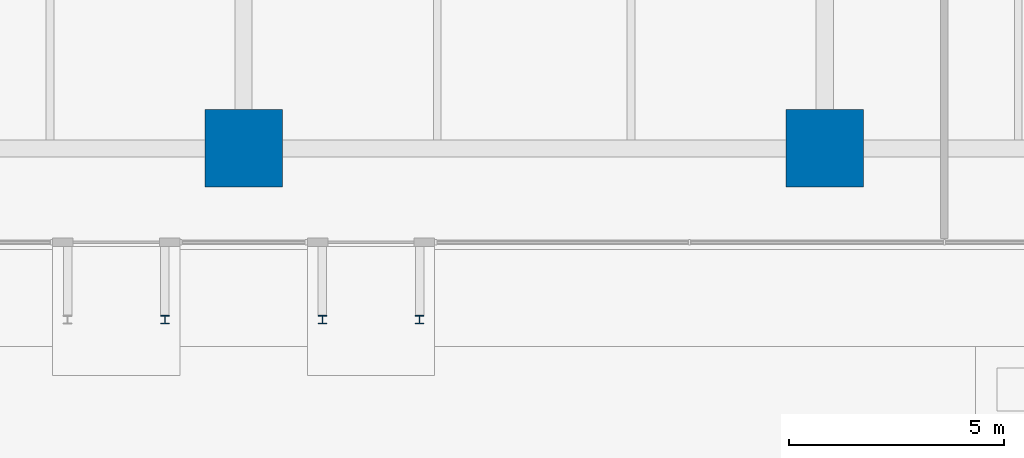
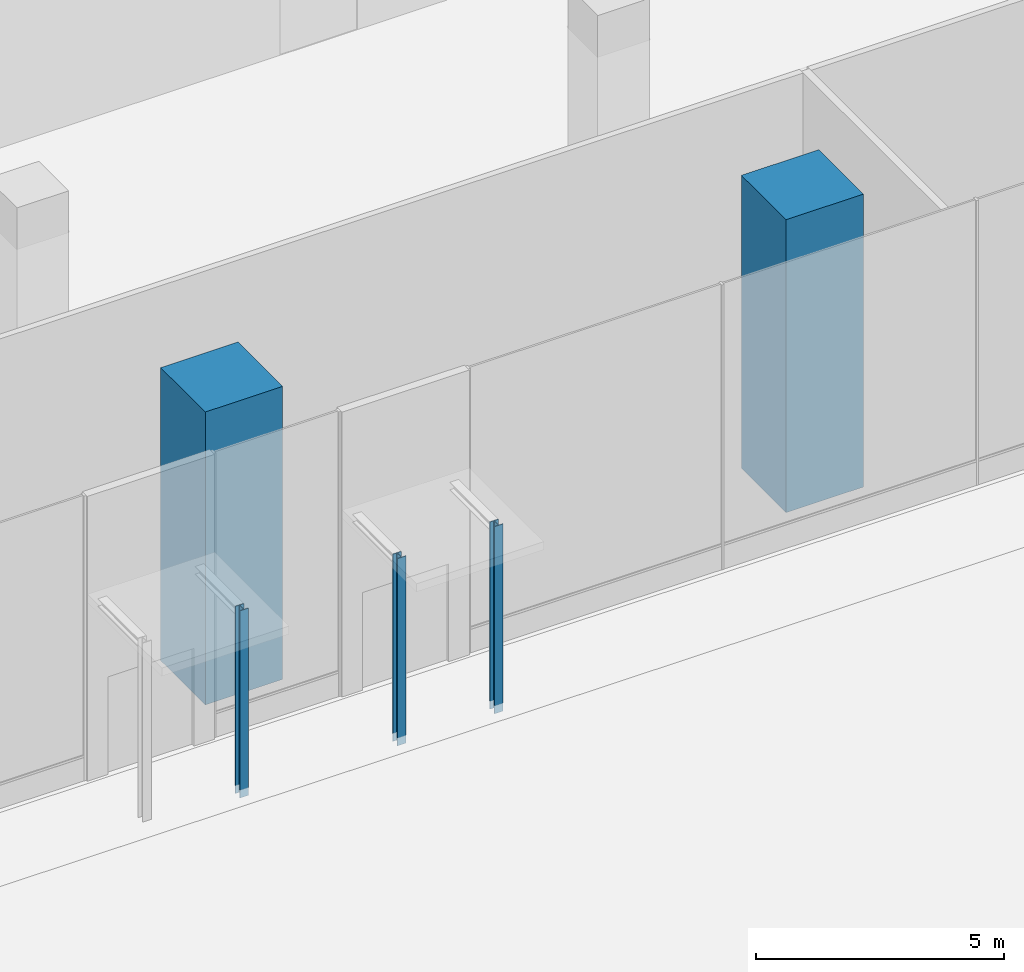
# One storey, part 3 of 41: 5 columns.
"""IFC4 building model written with IfcOpenShell, lengths in metres."""

from ifc_helpers import new_model, si_unit, direction, frame, origin, origin_2d, place, context, subcontext, project, spatial, rectangle, i_section, extrude, material, material_profile, profile_set, type_object, element, save


model = new_model("IFC4")

# Units and contexts
model_context = context("Model", 3, precision=1e-05, world=origin(), true_north=direction((0.0, 1.0)))
body_context = subcontext(model_context, "Body", "Model", "MODEL_VIEW")
ifc_project = project(units=[si_unit("LENGTHUNIT", "METRE"), si_unit("AREAUNIT", "SQUARE_METRE"), si_unit("VOLUMEUNIT", "CUBIC_METRE"), si_unit("PLANEANGLEUNIT", "RADIAN"), si_unit("MASSUNIT", "GRAM", prefix="KILO")], contexts=[model_context])

# Site, building, storey
site_placement = place(None, origin())
site = spatial("IfcSite", under=ifc_project, at=site_placement, CompositionType="ELEMENT")
building_placement = place(site_placement, origin())
building = spatial("IfcBuilding", under=site, at=building_placement, Name="Rattan Terrace Tower", CompositionType="ELEMENT")
storey_placement = place(building_placement, origin())
storey = spatial("IfcBuildingStorey", under=building, at=storey_placement, Name="L00", CompositionType="ELEMENT", Elevation=0.0)

# Columns
ifc_material_1 = material(Name="Structural steel S355", Category="steel")
ifc_material_profile_1 = material_profile(ifc_material_1, i_section(OverallWidth=0.199951171875, OverallDepth=0.199951171875, WebThickness=0.009033203125, FlangeThickness=0.014892578125, FilletRadius=0.01806640625, at=origin_2d()), Name="HE 200 B")
ifc_profile_set_1 = profile_set([ifc_material_profile_1], Name="Structural steel S355")
column_type_1 = type_object("IfcColumnType", Name="Canopy post HE 200 B", PredefinedType="COLUMN", material=ifc_profile_set_1)
for number, where, z_axis, x_axis, name in (
    (1, (-1.830078125, -38.8798828125, -0.199951171875), (0.0, 0.0, 1.0), (1.0, 0.0, 0.0), "Canopy post 051b"),
    (2, (1.830078125, -38.8798828125, -0.199951171875), (0.0, 0.0, 1.0), (1.0, 0.0, 0.0), "Canopy post 056a"),
    (3, (4.090087890625, -38.8798828125, -0.199951171875), (0.0, 0.0, 1.0), (1.0, 0.0, 0.0), "Canopy post 056b"),
):
    element("IfcColumn", number, at=place(storey_placement, frame(where, z_axis=z_axis, x_axis=x_axis)), inside=storey, type_object=column_type_1, Name=name, PredefinedType="COLUMN", context=body_context, shape_type="SweptSolid", body=[
        extrude(i_section(OverallWidth=0.199951171875, OverallDepth=0.199951171875, WebThickness=0.009033203125, FlangeThickness=0.014892578125, FilletRadius=0.01806640625, at=origin_2d()), origin(), (0.0, 0.0, 1.0), 4.599853515625),
    ])
ifc_material_2 = material(Name="Concrete C60/75", Category="concrete")
ifc_material_profile_2 = material_profile(ifc_material_2, rectangle(XDim=1.800048828125, YDim=1.800048828125, at=origin_2d()), Name="CFT 1800x1800")
ifc_profile_set_2 = profile_set([ifc_material_profile_2], Name="Concrete C60/75")
column_type_2 = type_object("IfcColumnType", Name="Frame exoskeleton column CFT 1800x1800", PredefinedType="COLUMN", material=ifc_profile_set_2)
for number, where, z_axis, x_axis, name in (
    (4, (0.0, -34.89990234375, -0.199951171875), (0.0, 0.0, 1.0), (1.0, 0.0, 0.0), "exo-L00-007"),
    (5, (13.5, -34.89990234375, -0.199951171875), (0.0, 0.0, 1.0), (1.0, 0.0, 0.0), "exo-L00-008"),
):
    element("IfcColumn", number, at=place(storey_placement, frame(where, z_axis=z_axis, x_axis=x_axis)), inside=storey, type_object=column_type_2, Name=name, PredefinedType="COLUMN", context=body_context, shape_type="SweptSolid", body=[
        extrude(rectangle(XDim=1.800048828125, YDim=1.800048828125, at=origin_2d()), origin(), (0.0, 0.0, 1.0), 7.199951171875),
    ])

save(model, "model.ifc")
